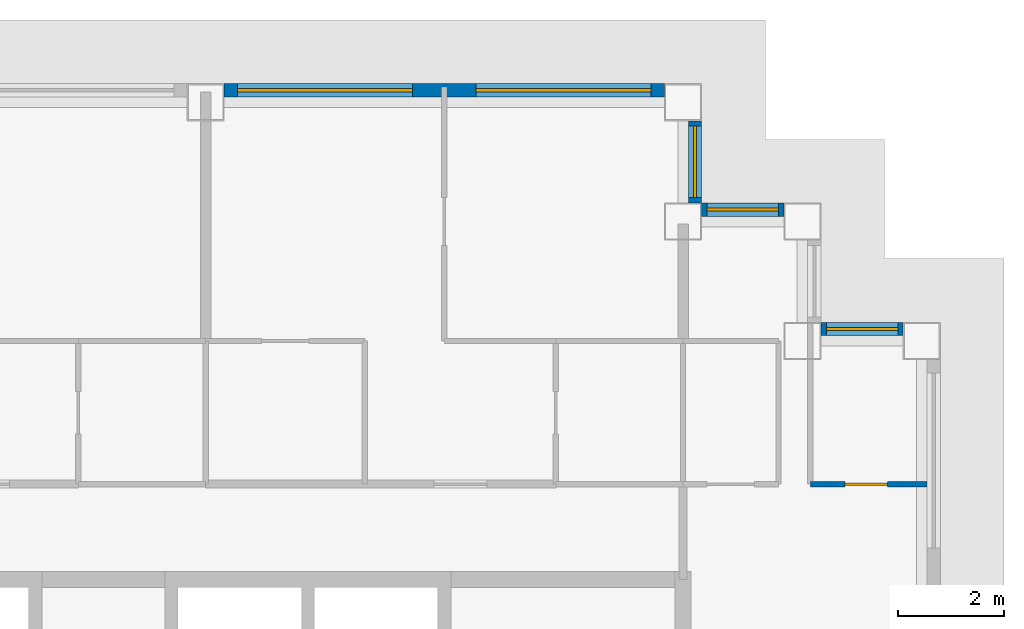
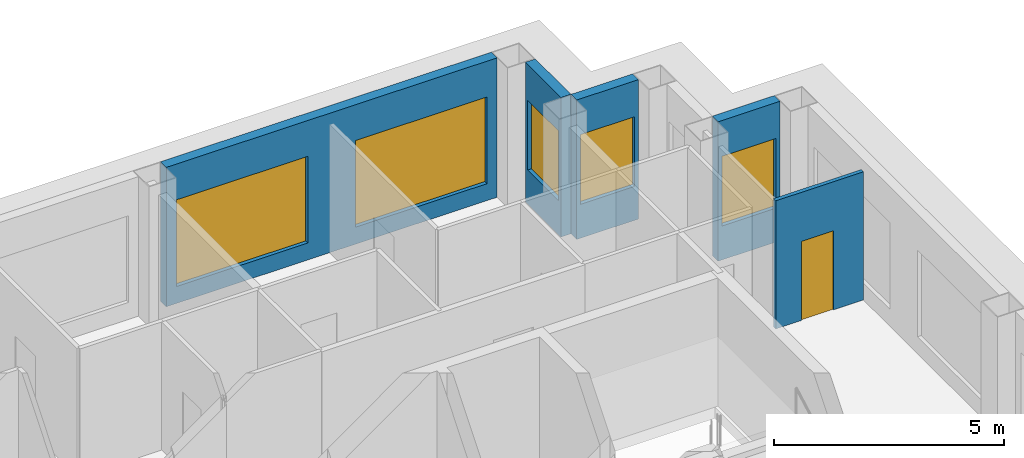
# One storey, part 8 of 12: 5 walls, 5 windows, 1 door, 6 openings.
"""IFC4 building model written with IfcOpenShell, lengths in metres."""

import ifcopenshell
import ifcopenshell.guid

model = None  # the IFC model being written
_history = None  # IfcOwnerHistory: only IFC2X3 demands one
_inside = {}  # id of a spatial element -> (the spatial element, [elements in it])
_under = {}  # id of a project, library or spatial element -> (it, [spatial elements below it])
_declared = {}  # id of a project -> (the project, [libraries it declares])
_typed = {}  # id of a type object -> (the type object, [elements of that type])
_made_of = {}  # id of a material, layer set ... -> (it, [elements and type objects made of it])


def new_model(schema):
    """Start an empty IFC model of exactly this schema.

    Asked for "IFC4X3", IfcOpenShell would pick the latest addendum, in which some entities
    have other attributes; the version numbers below select the first issue.
    IFC2X3 requires an IfcOwnerHistory on every rooted entity: one is made here for all.
    """
    global model, _history
    if schema == "IFC4X3":
        model = ifcopenshell.file(schema_version=(4, 3, 0, 0))
    else:
        model = ifcopenshell.file(schema=schema)
    _inside.clear()
    _under.clear()
    _declared.clear()
    _typed.clear()
    _made_of.clear()
    _history = None
    if model.schema == "IFC2X3":
        org = make("IfcOrganization", Name="unknown")
        user = make(
            "IfcPersonAndOrganization",
            ThePerson=make("IfcPerson", FamilyName="unknown"),
            TheOrganization=org,
        )
        app = make(
            "IfcApplication",
            ApplicationDeveloper=org,
            Version="unknown",
            ApplicationFullName="unknown",
            ApplicationIdentifier="unknown",
        )
        _history = make(
            "IfcOwnerHistory",
            OwningUser=user,
            OwningApplication=app,
            ChangeAction="ADDED",
            CreationDate=0,
        )
    return model


def make(cls, **values):
    """One entity of the class cls with the attributes given. An attribute that is None is left unset."""
    return model.create_entity(
        cls, **{name: value for name, value in values.items() if value is not None}
    )


def rooted(cls, **values):
    """An entity with a GlobalId (a new one), such as an element, a storey or a relation."""
    return make(cls, GlobalId=ifcopenshell.guid.new(), OwnerHistory=_history, **values)


def si_unit(unit_type, name, prefix=None):
    """IfcSIUnit, for example si_unit("LENGTHUNIT", "METRE", prefix="MILLI")."""
    return make("IfcSIUnit", UnitType=unit_type, Prefix=prefix, Name=name)


def assignment(units):
    """IfcUnitAssignment: the units of a project."""
    return None if units is None else make("IfcUnitAssignment", Units=units)


def point(xyz):
    """IfcCartesianPoint."""
    return None if xyz is None else make("IfcCartesianPoint", Coordinates=xyz)


def direction(xyz):
    """IfcDirection."""
    return None if xyz is None else make("IfcDirection", DirectionRatios=xyz)


def frame(location, z_axis=None, x_axis=None):
    """IfcAxis2Placement3D, a coordinate frame: its origin and axes. An axis left out is left unset."""
    return make(
        "IfcAxis2Placement3D",
        Location=point(location),
        Axis=direction(z_axis),
        RefDirection=direction(x_axis),
    )


def frame_2d(location, x_axis=None):
    """IfcAxis2Placement2D, a coordinate frame in the plane: its origin and x axis."""
    return make(
        "IfcAxis2Placement2D", Location=point(location), RefDirection=direction(x_axis)
    )


def origin():
    """The frame at (0, 0, 0) with its axes left unset."""
    return frame((0.0, 0.0, 0.0))


def place(relative_to, where):
    """IfcLocalPlacement: puts the frame where relative to a parent placement (None: the world)."""
    return make(
        "IfcLocalPlacement", PlacementRelTo=relative_to, RelativePlacement=where
    )


def context(
    kind, dimensions, precision=None, world=None, true_north=None, identifier=None
):
    """IfcGeometricRepresentationContext, for example the 3D "Model" context."""
    return make(
        "IfcGeometricRepresentationContext",
        ContextIdentifier=identifier,
        ContextType=kind,
        CoordinateSpaceDimension=dimensions,
        Precision=precision,
        WorldCoordinateSystem=world,
        TrueNorth=true_north,
    )


def subcontext(parent, identifier, kind, view, scale=None):
    """IfcGeometricRepresentationSubContext, for example "Body" below "Model"."""
    return make(
        "IfcGeometricRepresentationSubContext",
        ContextIdentifier=identifier,
        ContextType=kind,
        ParentContext=parent,
        TargetScale=scale,
        TargetView=view,
    )


def project(units=None, contexts=None):
    """IfcProject with its units and contexts."""
    return rooted(
        "IfcProject",
        Name="project",
        RepresentationContexts=contexts,
        UnitsInContext=assignment(units),
    )


def spatial(cls, under=None, at=None, **own):
    """A site, building, storey or space (cls), placed at a placement, below another one or the project."""
    s = rooted(cls, ObjectPlacement=at, **own)
    if under is not None:
        _under.setdefault(under.id(), (under, []))[1].append(s)
    return s


def profile(cls, at=None, kind="AREA", **sizes):
    """A parametric profile (cls). Its sizes go by their IFC names, for example OverallWidth=200.0."""
    return make(cls, ProfileType=kind, Position=at, **sizes)


def rectangle(**sizes):
    """IfcRectangleProfileDef."""
    return profile("IfcRectangleProfileDef", **sizes)


def extrude(swept, where, along, depth):
    """IfcExtrudedAreaSolid: the profile swept, set in the frame where, extruded along a direction by depth."""
    return make(
        "IfcExtrudedAreaSolid",
        SweptArea=swept,
        Position=where,
        ExtrudedDirection=direction(along),
        Depth=depth,
    )


def shape(context_of_items, identifier, shape_type, items):
    """IfcShapeRepresentation: the items that make up one representation, for example the "Body"."""
    return make(
        "IfcShapeRepresentation",
        ContextOfItems=context_of_items,
        RepresentationIdentifier=identifier,
        RepresentationType=shape_type,
        Items=items,
    )


def material(Name=None, Category=None):
    """IfcMaterial."""
    return make("IfcMaterial", Name=Name, Category=Category)


def layer(
    of_material, thickness, ventilated=None, Name=None, Category=None, Priority=None
):
    """IfcMaterialLayer: one layer of a wall or slab, of a material (None: an air gap)."""
    return make(
        "IfcMaterialLayer",
        Material=of_material,
        LayerThickness=thickness,
        IsVentilated=ventilated,
        Name=Name,
        Category=Category,
        Priority=Priority,
    )


def layer_set(layers, Name=None):
    """IfcMaterialLayerSet."""
    return make("IfcMaterialLayerSet", MaterialLayers=layers, LayerSetName=Name)


def made_of(thing, what):
    """Note that an element or type object is made of a material, layer set ...; save() writes the relation."""
    if what is not None:
        _made_of.setdefault(what.id(), (what, []))[1].append(thing)
    return thing


def type_object(cls, material=None, **own):
    """A type object (cls), such as IfcWallType, which elements share."""
    return made_of(rooted(cls, **own), material)


def element(
    cls,
    number,
    at=None,
    inside=None,
    cuts=None,
    type_object=None,
    material=None,
    context=None,
    identifier="Body",
    shape_type=None,
    held_by="IfcProductDefinitionShape",
    body=None,
    shapes=None,
    **own,
):
    """One element of the class cls, such as IfcWall. Its Tag is "e" and its number.

    at: its placement. inside: the storey or other place that contains it. cuts: it is an
    opening in that element (IfcRelVoidsElement). A single representation is given by context,
    identifier, shape_type and body (its items); several are given by shapes. held_by: the class
    of the entity that holds the representations. save() writes the other relations.
    """
    e = rooted(cls, Tag="e%d" % number, ObjectPlacement=at, **own)
    if body is not None:
        shapes = [shape(context, identifier, shape_type, body)]
    if shapes is not None:
        e.Representation = make(held_by, Representations=shapes)
    if inside is not None:
        _inside.setdefault(inside.id(), (inside, []))[1].append(e)
    if cuts is not None:
        rooted(
            "IfcRelVoidsElement", RelatingBuildingElement=cuts, RelatedOpeningElement=e
        )
    if type_object is not None:
        _typed.setdefault(type_object.id(), (type_object, []))[1].append(e)
    return made_of(e, material)


def fill(opening, filler):
    """IfcRelFillsElement: the door or window that sits in an opening."""
    return rooted(
        "IfcRelFillsElement",
        RelatingOpeningElement=opening,
        RelatedBuildingElement=filler,
    )


def aggregate(whole, parts):
    """IfcRelAggregates: a whole, such as a stair, and the parts it consists of."""
    return rooted("IfcRelAggregates", RelatingObject=whole, RelatedObjects=parts)


def save(model, path):
    """Write the relations noted so far, then the file.

    IfcRelAggregates (storeys below a building ...), IfcRelContainedInSpatialStructure (elements
    in a storey), IfcRelDefinesByType, IfcRelAssociatesMaterial and IfcRelDeclares: one each for
    every whole, place, type object, material and project.
    """
    for whole, parts in _under.values():
        aggregate(whole, parts)
    for where, things in _inside.values():
        rooted(
            "IfcRelContainedInSpatialStructure",
            RelatedElements=things,
            RelatingStructure=where,
        )
    for kind, things in _typed.values():
        rooted("IfcRelDefinesByType", RelatedObjects=things, RelatingType=kind)
    for what, things in _made_of.values():
        rooted("IfcRelAssociatesMaterial", RelatedObjects=things, RelatingMaterial=what)
    for by, libraries in _declared.values():
        rooted("IfcRelDeclares", RelatingContext=by, RelatedDefinitions=libraries)
    model.write(path)


model = new_model("IFC4")

# Units and contexts
model_context = context("Model", 3, precision=1e-05, world=origin(), true_north=direction((0.0, 1.0)))
body_context = subcontext(model_context, "Body", "Model", "MODEL_VIEW")
ifc_project = project(units=[si_unit("LENGTHUNIT", "METRE"), si_unit("AREAUNIT", "SQUARE_METRE"), si_unit("VOLUMEUNIT", "CUBIC_METRE"), si_unit("PLANEANGLEUNIT", "RADIAN"), si_unit("MASSUNIT", "GRAM", prefix="KILO")], contexts=[model_context])

# Site, building, storey
site_placement = place(None, origin())
site = spatial("IfcSite", under=ifc_project, at=site_placement, CompositionType="ELEMENT")
building_placement = place(site_placement, origin())
building = spatial("IfcBuilding", under=site, at=building_placement, Name="Caravel Reach Hotel and Residences", CompositionType="ELEMENT")
storey_placement = place(building_placement, frame((0.0, 0.0, 199.800048828125)))
storey = spatial("IfcBuildingStorey", under=building, at=storey_placement, Name="L50", CompositionType="ELEMENT", Elevation=199.800048828125)

# Wall, opening, door
ifc_material_1 = material(Name="Gypsum board on steel stud", Category="steel")
ifc_layer_1 = layer(ifc_material_1, 0.10009765625)
ifc_layer_set_1 = layer_set([ifc_layer_1], Name="Bathroom pod wall 100 mm")
wall_type_1 = type_object("IfcWallType", Name="Bathroom pod wall 100 mm", PredefinedType="PARTITIONING", material=ifc_layer_set_1)
wall_1_placement = place(storey_placement, frame((47.39990234375, 33.300048828125, 0.0), z_axis=(0.0, 0.0, 1.0), x_axis=(1.0, 0.0, 0.0)))
wall_1 = element("IfcWall", 1, at=wall_1_placement, inside=storey, type_object=wall_type_1, Name="L50 wall w085", PredefinedType="PARTITIONING", context=body_context, shape_type="SweptSolid", body=[
    extrude(rectangle(XDim=2.2001953125, YDim=0.10009765625, at=frame_2d((1.10009765625, 0.0))), origin(), (0.0, 0.0, 1.0), 3.39990234375),
])
opening_1_placement = place(wall_1_placement, frame((0.64990234375, 0.0, 0.0)))
opening_1 = element("IfcOpeningElement", 2, at=opening_1_placement, cuts=wall_1, Name="Opening D50-047", PredefinedType="OPENING", context=body_context, shape_type="SweptSolid", body=[
    extrude(rectangle(XDim=0.800048828125, YDim=2.10009765625, at=frame_2d((0.39990234375, 1.050048828125))), frame((0.0, 0.06005859375, 0.0), z_axis=(0.0, -1.0, 0.0), x_axis=(1.0, 0.0, 0.0)), (0.0, 0.0, 1.0), 0.1201171875),
])
ifc_material_2 = material(Name="Timber and steel door leaf", Category="steel")
door_type = type_object("IfcDoorType", Name="Bathroom door 800 x 2100", OperationType="SINGLE_SWING_LEFT", PredefinedType="DOOR", material=ifc_material_2)
door_placement = place(opening_1_placement, origin())
door = element("IfcDoor", 3, at=door_placement, inside=storey, type_object=door_type, Name="door D50-047", OperationType="SINGLE_SWING_RIGHT", OverallHeight=2.10009765625, OverallWidth=0.800048828125, PredefinedType="DOOR", context=body_context, shape_type="SweptSolid", body=[
    extrude(rectangle(XDim=0.800048828125, YDim=2.10009765625, at=frame_2d((0.39990234375, 1.050048828125))), frame((0.0, 0.02490234375, 0.0), z_axis=(0.0, -1.0, 0.0), x_axis=(1.0, 0.0, 0.0)), (0.0, 0.0, 1.0), 0.050048828125),
])
fill(opening_1, door)

# Wall, opening, window
ifc_material_3 = material(Name="Insulated rainscreen wall, aluminium cladding", Category="aluminium")
ifc_layer_2 = layer(ifc_material_3, 0.25)
ifc_layer_set_2 = layer_set([ifc_layer_2], Name="EW1 Tower rainscreen wall")
wall_type_2 = type_object("IfcWallType", Name="EW1 Tower rainscreen wall", PredefinedType="SOLIDWALL", material=ifc_layer_set_2)
wall_2_placement = place(storey_placement, frame((49.14990234375, 36.22509765625, 0.0), z_axis=(0.0, 0.0, 1.0), x_axis=(-1.0, 0.0, 0.0)))
wall_2 = element("IfcWall", 4, at=wall_2_placement, inside=storey, type_object=wall_type_2, Name="External wall L50 N7.1", PredefinedType="SOLIDWALL", context=body_context, shape_type="SweptSolid", body=[
    extrude(rectangle(XDim=1.5498046875, YDim=0.25, at=frame_2d((0.77490234375, 0.0))), origin(), (0.0, 0.0, 1.0), 3.699951171875),
])
opening_2_placement = place(wall_2_placement, frame((0.10009765625, 0.0, 0.89990234375)))
opening_2 = element("IfcOpeningElement", 5, at=opening_2_placement, cuts=wall_2, Name="Opening WN21", PredefinedType="OPENING", context=body_context, shape_type="SweptSolid", body=[
    extrude(rectangle(XDim=1.35009765625, YDim=1.85009765625, at=frame_2d((0.675048828125, 0.925048828125))), frame((0.0, 0.135009765625, 0.0), z_axis=(0.0, -1.0, 0.0), x_axis=(1.0, 0.0, 0.0)), (0.0, 0.0, 1.0), 0.27001953125),
])
ifc_material_4 = material(Name="Dark low-e glazing in black aluminium frame", Category="aluminium")
window_type_1 = type_object("IfcWindowType", Name="Residence bedroom window 1350 x 1850", PartitioningType="SINGLE_PANEL", PredefinedType="WINDOW", material=ifc_material_4)
window_1_placement = place(opening_2_placement, origin())
window_1 = element("IfcWindow", 6, at=window_1_placement, inside=storey, type_object=window_type_1, Name="Window L50 N7.1.1", OverallHeight=1.85009765625, OverallWidth=1.35009765625, PartitioningType="SINGLE_PANEL", PredefinedType="WINDOW", context=body_context, shape_type="SweptSolid", body=[
    extrude(rectangle(XDim=1.35009765625, YDim=1.85009765625, at=frame_2d((0.675048828125, 0.925048828125))), frame((0.0, 0.030029296875, 0.0), z_axis=(0.0, -1.0, 0.0), x_axis=(1.0, 0.0, 0.0)), (0.0, 0.0, 1.0), 0.06005859375),
])
fill(opening_2, window_1)

wall_3_placement = place(storey_placement, frame((46.89990234375, 38.47509765625, 0.0), z_axis=(0.0, 0.0, 1.0), x_axis=(-1.0, 0.0, 0.0)))
wall_3 = element("IfcWall", 7, at=wall_3_placement, inside=storey, type_object=wall_type_2, Name="External wall L50 N9.1", PredefinedType="SOLIDWALL", context=body_context, shape_type="SweptSolid", body=[
    extrude(rectangle(XDim=1.5498046875, YDim=0.25, at=frame_2d((0.77490234375, 0.0))), origin(), (0.0, 0.0, 1.0), 3.699951171875),
])
opening_3_placement = place(wall_3_placement, frame((0.10009765625, 0.0, 0.89990234375)))
opening_3 = element("IfcOpeningElement", 8, at=opening_3_placement, cuts=wall_3, Name="Opening WN21", PredefinedType="OPENING", context=body_context, shape_type="SweptSolid", body=[
    extrude(rectangle(XDim=1.35009765625, YDim=1.85009765625, at=frame_2d((0.675048828125, 0.925048828125))), frame((0.0, 0.135009765625, 0.0), z_axis=(0.0, -1.0, 0.0), x_axis=(1.0, 0.0, 0.0)), (0.0, 0.0, 1.0), 0.27001953125),
])
window_2_placement = place(opening_3_placement, origin())
window_2 = element("IfcWindow", 9, at=window_2_placement, inside=storey, type_object=window_type_1, Name="Window L50 N9.1.1", OverallHeight=1.85009765625, OverallWidth=1.35009765625, PartitioningType="SINGLE_PANEL", PredefinedType="WINDOW", context=body_context, shape_type="SweptSolid", body=[
    extrude(rectangle(XDim=1.35009765625, YDim=1.85009765625, at=frame_2d((0.675048828125, 0.925048828125))), frame((0.0, 0.030029296875, 0.0), z_axis=(0.0, -1.0, 0.0), x_axis=(1.0, 0.0, 0.0)), (0.0, 0.0, 1.0), 0.06005859375),
])
fill(opening_3, window_2)

wall_4_placement = place(storey_placement, frame((45.22509765625, 38.60009765625, 0.0), z_axis=(0.0, 0.0, 1.0), x_axis=(0.0, 1.0, 0.0)))
wall_4 = element("IfcWall", 10, at=wall_4_placement, inside=storey, type_object=wall_type_2, Name="External wall L50 E10.1", PredefinedType="SOLIDWALL", context=body_context, shape_type="SweptSolid", body=[
    extrude(rectangle(XDim=1.5498046875, YDim=0.25, at=frame_2d((0.77490234375, 0.0))), origin(), (0.0, 0.0, 1.0), 3.699951171875),
])
opening_4_placement = place(wall_4_placement, frame((0.10009765625, 0.0, 0.89990234375)))
opening_4 = element("IfcOpeningElement", 11, at=opening_4_placement, cuts=wall_4, Name="Opening WN21", PredefinedType="OPENING", context=body_context, shape_type="SweptSolid", body=[
    extrude(rectangle(XDim=1.35009765625, YDim=1.85009765625, at=frame_2d((0.675048828125, 0.925048828125))), frame((0.0, 0.135009765625, 0.0), z_axis=(0.0, -1.0, 0.0), x_axis=(1.0, 0.0, 0.0)), (0.0, 0.0, 1.0), 0.27001953125),
])
window_3_placement = place(opening_4_placement, origin())
window_3 = element("IfcWindow", 12, at=window_3_placement, inside=storey, type_object=window_type_1, Name="Window L50 E10.1.1", OverallHeight=1.85009765625, OverallWidth=1.35009765625, PartitioningType="SINGLE_PANEL", PredefinedType="WINDOW", context=body_context, shape_type="SweptSolid", body=[
    extrude(rectangle(XDim=1.35009765625, YDim=1.85009765625, at=frame_2d((0.675048828125, 0.925048828125))), frame((0.0, 0.030029296875, 0.0), z_axis=(0.0, -1.0, 0.0), x_axis=(1.0, 0.0, 0.0)), (0.0, 0.0, 1.0), 0.06005859375),
])
fill(opening_4, window_3)

# Wall, openings, windows
wall_5_placement = place(storey_placement, frame((44.64990234375, 40.72509765625, 0.0), z_axis=(0.0, 0.0, 1.0), x_axis=(-1.0, 0.0, 0.0)))
wall_5 = element("IfcWall", 13, at=wall_5_placement, inside=storey, type_object=wall_type_2, Name="External wall L50 N11.1", PredefinedType="SOLIDWALL", context=body_context, shape_type="SweptSolid", body=[
    extrude(rectangle(XDim=8.2998046875, YDim=0.25, at=frame_2d((4.14990234375, 0.0))), origin(), (0.0, 0.0, 1.0), 3.699951171875),
])
opening_5_placement = place(wall_5_placement, frame((0.25, 0.0, 0.449951171875)))
opening_5 = element("IfcOpeningElement", 14, at=opening_5_placement, cuts=wall_5, Name="Opening WN15", PredefinedType="OPENING", context=body_context, shape_type="SweptSolid", body=[
    extrude(rectangle(XDim=3.300048828125, YDim=2.300048828125, at=frame_2d((1.64990234375, 1.14990234375))), frame((0.0, 0.135009765625, 0.0), z_axis=(0.0, -1.0, 0.0), x_axis=(1.0, 0.0, 0.0)), (0.0, 0.0, 1.0), 0.27001953125),
])
opening_6_placement = place(wall_5_placement, frame((4.75, 0.0, 0.449951171875)))
opening_6 = element("IfcOpeningElement", 15, at=opening_6_placement, cuts=wall_5, Name="Opening WN15", PredefinedType="OPENING", context=body_context, shape_type="SweptSolid", body=[
    extrude(rectangle(XDim=3.300048828125, YDim=2.300048828125, at=frame_2d((1.64990234375, 1.14990234375))), frame((0.0, 0.135009765625, 0.0), z_axis=(0.0, -1.0, 0.0), x_axis=(1.0, 0.0, 0.0)), (0.0, 0.0, 1.0), 0.27001953125),
])
ifc_material_5 = material(Name="Dark low-e glazing in black aluminium frame", Category="aluminium")
window_type_2 = type_object("IfcWindowType", Name="Residence living window 3300 x 2300", PartitioningType="SINGLE_PANEL", PredefinedType="WINDOW", material=ifc_material_5)
window_4_placement = place(opening_5_placement, origin())
window_4 = element("IfcWindow", 16, at=window_4_placement, inside=storey, type_object=window_type_2, Name="Window L50 N11.1.1", OverallHeight=2.300048828125, OverallWidth=3.300048828125, PartitioningType="SINGLE_PANEL", PredefinedType="WINDOW", context=body_context, shape_type="SweptSolid", body=[
    extrude(rectangle(XDim=3.300048828125, YDim=2.300048828125, at=frame_2d((1.64990234375, 1.14990234375))), frame((0.0, 0.030029296875, 0.0), z_axis=(0.0, -1.0, 0.0), x_axis=(1.0, 0.0, 0.0)), (0.0, 0.0, 1.0), 0.06005859375),
])
fill(opening_5, window_4)
window_5_placement = place(opening_6_placement, origin())
window_5 = element("IfcWindow", 17, at=window_5_placement, inside=storey, type_object=window_type_2, Name="Window L50 N11.1.2", OverallHeight=2.300048828125, OverallWidth=3.300048828125, PartitioningType="SINGLE_PANEL", PredefinedType="WINDOW", context=body_context, shape_type="SweptSolid", body=[
    extrude(rectangle(XDim=3.300048828125, YDim=2.300048828125, at=frame_2d((1.64990234375, 1.14990234375))), frame((0.0, 0.030029296875, 0.0), z_axis=(0.0, -1.0, 0.0), x_axis=(1.0, 0.0, 0.0)), (0.0, 0.0, 1.0), 0.06005859375),
])
fill(opening_6, window_5)

save(model, "model.ifc")
